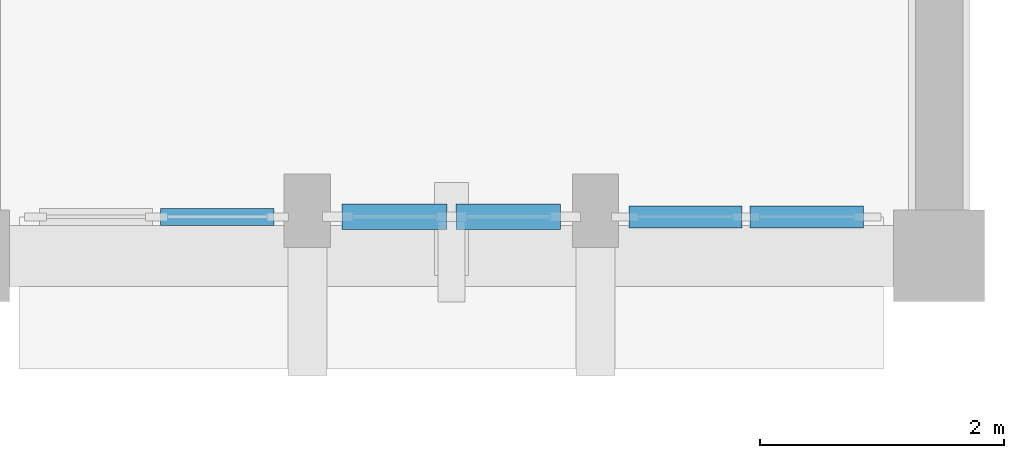
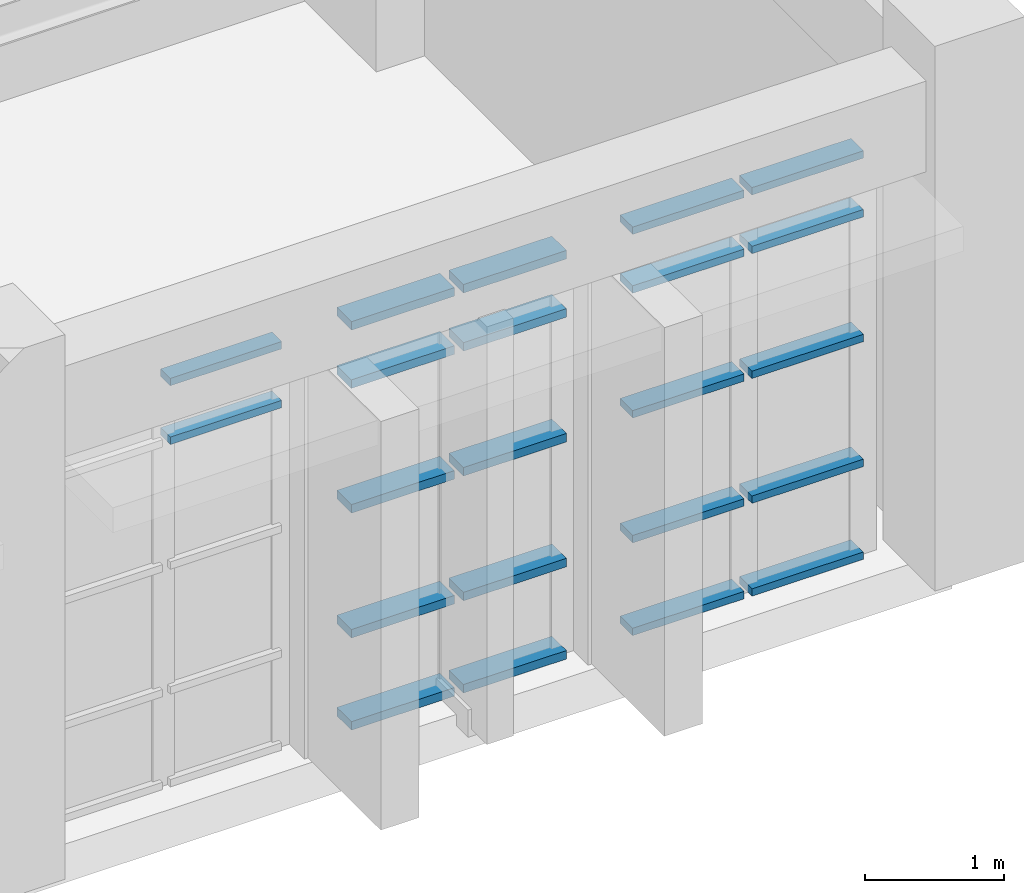
# One storey, part 61 of 155: 22 members, 3 elements without a shape of their own.
"""IFC4 building model written with IfcOpenShell, lengths in metres."""

from ifc_helpers import new_model, si_unit, direction, frame, origin, origin_2d, place, context, subcontext, project, spatial, rectangle, extrude, material, layer, layer_set, material_profile, profile_set, type_object, element, aggregate, save


model = new_model("IFC4")

# Units and contexts
model_context = context("Model", 3, precision=1e-05, world=origin(), true_north=direction((0.0, 1.0)))
body_context = subcontext(model_context, "Body", "Model", "MODEL_VIEW")
ifc_project = project(units=[si_unit("LENGTHUNIT", "METRE"), si_unit("AREAUNIT", "SQUARE_METRE"), si_unit("VOLUMEUNIT", "CUBIC_METRE"), si_unit("PLANEANGLEUNIT", "RADIAN"), si_unit("MASSUNIT", "GRAM", prefix="KILO")], contexts=[model_context])

# Site, building, storey
site_placement = place(None, origin())
site = spatial("IfcSite", under=ifc_project, at=site_placement, CompositionType="ELEMENT")
building_placement = place(site_placement, origin())
building = spatial("IfcBuilding", under=site, at=building_placement, Name="Tazarka Park Arena", CompositionType="ELEMENT")
storey_placement = place(building_placement, frame((0.0, 0.0, 5.39990234375)))
storey = spatial("IfcBuildingStorey", under=building, at=storey_placement, Name="L01", CompositionType="ELEMENT", Elevation=5.39990234375)

# Curtain wall, members
ifc_material_1 = material(Name="Aluminium and low-e glass", Category="aluminium")
ifc_layer_1 = layer(ifc_material_1, 0.179931640625, Name="Aluminium and low-e glass")
ifc_layer_set_1 = layer_set([ifc_layer_1], Name="Aluminium and low-e glass")
curtain_wall_type_1 = type_object("IfcCurtainWallType", Name="CW-24", PredefinedType="NOTDEFINED", material=ifc_layer_set_1)
curtain_wall_1_placement = place(storey_placement, origin())
curtain_wall_1 = element("IfcCurtainWall", 1, at=curtain_wall_1_placement, inside=storey, type_object=curtain_wall_type_1, Name="Curtain Wall CWA-L01-024", PredefinedType="NOTDEFINED")
ifc_material_2 = material(Name="Aluminium 6060-T66", Category="aluminium")
ifc_material_profile_1 = material_profile(ifc_material_2, rectangle(XDim=0.139892578125, YDim=0.06494140625, at=origin_2d()), Name="Aluminium 6060-T66")
ifc_profile_set_1 = profile_set([ifc_material_profile_1], Name="Aluminium 6060-T66")
member_type_1 = type_object("IfcMemberType", Name="CWT-01", PredefinedType="USERDEFINED", material=ifc_profile_set_1)
member_1_placement = place(storey_placement, frame((106.543212890625, 8.320068359375, 3.050048828125), z_axis=(-1.0, 0.0, 0.0), x_axis=(0.0, -1.0, 0.0)))
member_1 = element("IfcMember", 2, at=member_1_placement, type_object=member_type_1, Name="CW-24 transom 1.4", ObjectType="TRANSOM", PredefinedType="USERDEFINED", context=body_context, shape_type="SweptSolid", body=[
    extrude(rectangle(XDim=0.139892578125, YDim=0.06494140625, at=origin_2d()), origin(), (0.0, 0.0, 1.0), 0.928955078125),
])
member_2_placement = place(storey_placement, frame((106.543212890625, 8.320068359375, 3.567626953125), z_axis=(-1.0, 0.0, 0.0), x_axis=(0.0, -1.0, 0.0)))
member_2 = element("IfcMember", 3, at=member_2_placement, type_object=member_type_1, Name="CW-24 transom 1.5", ObjectType="TRANSOM", PredefinedType="USERDEFINED", context=body_context, shape_type="SweptSolid", body=[
    extrude(rectangle(XDim=0.139892578125, YDim=0.06494140625, at=origin_2d()), origin(), (0.0, 0.0, 1.0), 0.928955078125),
])
aggregate(curtain_wall_1, [member_1, member_2])

ifc_material_3 = material(Name="Aluminium and low-e glass", Category="aluminium")
ifc_layer_2 = layer(ifc_material_3, 0.179931640625, Name="Aluminium and low-e glass")
ifc_layer_set_2 = layer_set([ifc_layer_2], Name="Aluminium and low-e glass")
curtain_wall_type_2 = type_object("IfcCurtainWallType", Name="CW-22", PredefinedType="NOTDEFINED", material=ifc_layer_set_2)
curtain_wall_2_placement = place(storey_placement, origin())
curtain_wall_2 = element("IfcCurtainWall", 4, at=curtain_wall_2_placement, inside=storey, type_object=curtain_wall_type_2, Name="Curtain Wall CWA-L01-022", PredefinedType="NOTDEFINED")
ifc_material_4 = material(Name="Aluminium 6060-T66", Category="aluminium")
ifc_material_profile_2 = material_profile(ifc_material_4, rectangle(XDim=0.179931640625, YDim=0.06494140625, at=origin_2d()), Name="Aluminium 6060-T66")
ifc_profile_set_2 = profile_set([ifc_material_profile_2], Name="Aluminium 6060-T66")
member_type_2 = type_object("IfcMemberType", Name="CWT-02", PredefinedType="USERDEFINED", material=ifc_profile_set_2)
member_3_placement = place(storey_placement, frame((111.3798828125, 8.320068359375, 0.03271484375), z_axis=(-1.0, 0.0, 0.0), x_axis=(0.0, -1.0, 0.0)))
member_3 = element("IfcMember", 5, at=member_3_placement, type_object=member_type_2, Name="CW-22 transom 1.1", ObjectType="TRANSOM", PredefinedType="USERDEFINED", context=body_context, shape_type="SweptSolid", body=[
    extrude(rectangle(XDim=0.179931640625, YDim=0.06494140625, at=origin_2d()), origin(), (0.0, 0.0, 1.0), 0.928955078125),
])
member_4_placement = place(storey_placement, frame((111.3798828125, 8.320068359375, 0.85009765625), z_axis=(-1.0, 0.0, 0.0), x_axis=(0.0, -1.0, 0.0)))
member_4 = element("IfcMember", 6, at=member_4_placement, type_object=member_type_2, Name="CW-22 transom 1.2", ObjectType="TRANSOM", PredefinedType="USERDEFINED", context=body_context, shape_type="SweptSolid", body=[
    extrude(rectangle(XDim=0.179931640625, YDim=0.06494140625, at=origin_2d()), origin(), (0.0, 0.0, 1.0), 0.928955078125),
])
member_5_placement = place(storey_placement, frame((111.3798828125, 8.320068359375, 1.9501953125), z_axis=(-1.0, 0.0, 0.0), x_axis=(0.0, -1.0, 0.0)))
member_5 = element("IfcMember", 7, at=member_5_placement, type_object=member_type_2, Name="CW-22 transom 1.3", ObjectType="TRANSOM", PredefinedType="USERDEFINED", context=body_context, shape_type="SweptSolid", body=[
    extrude(rectangle(XDim=0.179931640625, YDim=0.06494140625, at=origin_2d()), origin(), (0.0, 0.0, 1.0), 0.928955078125),
])
member_6_placement = place(storey_placement, frame((111.3798828125, 8.320068359375, 3.050048828125), z_axis=(-1.0, 0.0, 0.0), x_axis=(0.0, -1.0, 0.0)))
member_6 = element("IfcMember", 8, at=member_6_placement, type_object=member_type_2, Name="CW-22 transom 1.4", ObjectType="TRANSOM", PredefinedType="USERDEFINED", context=body_context, shape_type="SweptSolid", body=[
    extrude(rectangle(XDim=0.179931640625, YDim=0.06494140625, at=origin_2d()), origin(), (0.0, 0.0, 1.0), 0.928955078125),
])
member_7_placement = place(storey_placement, frame((111.3798828125, 8.320068359375, 3.567626953125), z_axis=(-1.0, 0.0, 0.0), x_axis=(0.0, -1.0, 0.0)))
member_7 = element("IfcMember", 9, at=member_7_placement, type_object=member_type_2, Name="CW-22 transom 1.5", ObjectType="TRANSOM", PredefinedType="USERDEFINED", context=body_context, shape_type="SweptSolid", body=[
    extrude(rectangle(XDim=0.179931640625, YDim=0.06494140625, at=origin_2d()), origin(), (0.0, 0.0, 1.0), 0.928955078125),
])
member_8_placement = place(storey_placement, frame((110.3857421875, 8.320068359375, 0.03271484375), z_axis=(-1.0, 0.0, 0.0), x_axis=(0.0, -1.0, 0.0)))
member_8 = element("IfcMember", 10, at=member_8_placement, type_object=member_type_2, Name="CW-22 transom 2.1", ObjectType="TRANSOM", PredefinedType="USERDEFINED", context=body_context, shape_type="SweptSolid", body=[
    extrude(rectangle(XDim=0.179931640625, YDim=0.06494140625, at=origin_2d()), origin(), (0.0, 0.0, 1.0), 0.928955078125),
])
member_9_placement = place(storey_placement, frame((110.3857421875, 8.320068359375, 0.85009765625), z_axis=(-1.0, 0.0, 0.0), x_axis=(0.0, -1.0, 0.0)))
member_9 = element("IfcMember", 11, at=member_9_placement, type_object=member_type_2, Name="CW-22 transom 2.2", ObjectType="TRANSOM", PredefinedType="USERDEFINED", context=body_context, shape_type="SweptSolid", body=[
    extrude(rectangle(XDim=0.179931640625, YDim=0.06494140625, at=origin_2d()), origin(), (0.0, 0.0, 1.0), 0.928955078125),
])
member_10_placement = place(storey_placement, frame((110.3857421875, 8.320068359375, 1.9501953125), z_axis=(-1.0, 0.0, 0.0), x_axis=(0.0, -1.0, 0.0)))
member_10 = element("IfcMember", 12, at=member_10_placement, type_object=member_type_2, Name="CW-22 transom 2.3", ObjectType="TRANSOM", PredefinedType="USERDEFINED", context=body_context, shape_type="SweptSolid", body=[
    extrude(rectangle(XDim=0.179931640625, YDim=0.06494140625, at=origin_2d()), origin(), (0.0, 0.0, 1.0), 0.928955078125),
])
member_11_placement = place(storey_placement, frame((110.3857421875, 8.320068359375, 3.050048828125), z_axis=(-1.0, 0.0, 0.0), x_axis=(0.0, -1.0, 0.0)))
member_11 = element("IfcMember", 13, at=member_11_placement, type_object=member_type_2, Name="CW-22 transom 2.4", ObjectType="TRANSOM", PredefinedType="USERDEFINED", context=body_context, shape_type="SweptSolid", body=[
    extrude(rectangle(XDim=0.179931640625, YDim=0.06494140625, at=origin_2d()), origin(), (0.0, 0.0, 1.0), 0.928955078125),
])
member_12_placement = place(storey_placement, frame((110.3857421875, 8.320068359375, 3.567626953125), z_axis=(-1.0, 0.0, 0.0), x_axis=(0.0, -1.0, 0.0)))
member_12 = element("IfcMember", 14, at=member_12_placement, type_object=member_type_2, Name="CW-22 transom 2.5", ObjectType="TRANSOM", PredefinedType="USERDEFINED", context=body_context, shape_type="SweptSolid", body=[
    extrude(rectangle(XDim=0.179931640625, YDim=0.06494140625, at=origin_2d()), origin(), (0.0, 0.0, 1.0), 0.928955078125),
])
aggregate(curtain_wall_2, [member_3, member_4, member_5, member_6, member_7, member_8, member_9, member_10, member_11, member_12])

ifc_material_5 = material(Name="Aluminium and low-e glass", Category="aluminium")
ifc_layer_3 = layer(ifc_material_5, 0.179931640625, Name="Aluminium and low-e glass")
ifc_layer_set_3 = layer_set([ifc_layer_3], Name="Aluminium and low-e glass")
curtain_wall_type_3 = type_object("IfcCurtainWallType", Name="CW-23", PredefinedType="NOTDEFINED", material=ifc_layer_set_3)
curtain_wall_3_placement = place(storey_placement, origin())
curtain_wall_3 = element("IfcCurtainWall", 15, at=curtain_wall_3_placement, inside=storey, type_object=curtain_wall_type_3, Name="Curtain Wall CWA-L01-023", PredefinedType="NOTDEFINED")
ifc_material_6 = material(Name="Aluminium 6060-T66", Category="aluminium")
ifc_material_profile_3 = material_profile(ifc_material_6, rectangle(XDim=0.2099609375, YDim=0.074951171875, at=origin_2d()), Name="Aluminium 6060-T66")
ifc_profile_set_3 = profile_set([ifc_material_profile_3], Name="Aluminium 6060-T66")
member_type_3 = type_object("IfcMemberType", Name="CWT-03", PredefinedType="USERDEFINED", material=ifc_profile_set_3)
member_13_placement = place(storey_placement, frame((108.896728515625, 8.320068359375, 0.03759765625), z_axis=(-1.0, 0.0, 0.0), x_axis=(0.0, -1.0, 0.0)))
member_13 = element("IfcMember", 16, at=member_13_placement, type_object=member_type_3, Name="CW-23 transom 1.1", ObjectType="TRANSOM", PredefinedType="USERDEFINED", context=body_context, shape_type="SweptSolid", body=[
    extrude(rectangle(XDim=0.2099609375, YDim=0.074951171875, at=origin_2d()), origin(), (0.0, 0.0, 1.0), 0.859130859375),
])
member_14_placement = place(storey_placement, frame((108.896728515625, 8.320068359375, 0.85009765625), z_axis=(-1.0, 0.0, 0.0), x_axis=(0.0, -1.0, 0.0)))
member_14 = element("IfcMember", 17, at=member_14_placement, type_object=member_type_3, Name="CW-23 transom 1.2", ObjectType="TRANSOM", PredefinedType="USERDEFINED", context=body_context, shape_type="SweptSolid", body=[
    extrude(rectangle(XDim=0.2099609375, YDim=0.074951171875, at=origin_2d()), origin(), (0.0, 0.0, 1.0), 0.859130859375),
])
member_15_placement = place(storey_placement, frame((108.896728515625, 8.320068359375, 1.9501953125), z_axis=(-1.0, 0.0, 0.0), x_axis=(0.0, -1.0, 0.0)))
member_15 = element("IfcMember", 18, at=member_15_placement, type_object=member_type_3, Name="CW-23 transom 1.3", ObjectType="TRANSOM", PredefinedType="USERDEFINED", context=body_context, shape_type="SweptSolid", body=[
    extrude(rectangle(XDim=0.2099609375, YDim=0.074951171875, at=origin_2d()), origin(), (0.0, 0.0, 1.0), 0.859130859375),
])
member_16_placement = place(storey_placement, frame((108.896728515625, 8.320068359375, 3.050048828125), z_axis=(-1.0, 0.0, 0.0), x_axis=(0.0, -1.0, 0.0)))
member_16 = element("IfcMember", 19, at=member_16_placement, type_object=member_type_3, Name="CW-23 transom 1.4", ObjectType="TRANSOM", PredefinedType="USERDEFINED", context=body_context, shape_type="SweptSolid", body=[
    extrude(rectangle(XDim=0.2099609375, YDim=0.074951171875, at=origin_2d()), origin(), (0.0, 0.0, 1.0), 0.859130859375),
])
member_17_placement = place(storey_placement, frame((108.896728515625, 8.320068359375, 3.5625), z_axis=(-1.0, 0.0, 0.0), x_axis=(0.0, -1.0, 0.0)))
member_17 = element("IfcMember", 20, at=member_17_placement, type_object=member_type_3, Name="CW-23 transom 1.5", ObjectType="TRANSOM", PredefinedType="USERDEFINED", context=body_context, shape_type="SweptSolid", body=[
    extrude(rectangle(XDim=0.2099609375, YDim=0.074951171875, at=origin_2d()), origin(), (0.0, 0.0, 1.0), 0.859130859375),
])
member_18_placement = place(storey_placement, frame((107.96240234375, 8.320068359375, 0.03759765625), z_axis=(-1.0, 0.0, 0.0), x_axis=(0.0, -1.0, 0.0)))
member_18 = element("IfcMember", 21, at=member_18_placement, type_object=member_type_3, Name="CW-23 transom 2.1", ObjectType="TRANSOM", PredefinedType="USERDEFINED", context=body_context, shape_type="SweptSolid", body=[
    extrude(rectangle(XDim=0.2099609375, YDim=0.074951171875, at=origin_2d()), origin(), (0.0, 0.0, 1.0), 0.859130859375),
])
member_19_placement = place(storey_placement, frame((107.96240234375, 8.320068359375, 0.85009765625), z_axis=(-1.0, 0.0, 0.0), x_axis=(0.0, -1.0, 0.0)))
member_19 = element("IfcMember", 22, at=member_19_placement, type_object=member_type_3, Name="CW-23 transom 2.2", ObjectType="TRANSOM", PredefinedType="USERDEFINED", context=body_context, shape_type="SweptSolid", body=[
    extrude(rectangle(XDim=0.2099609375, YDim=0.074951171875, at=origin_2d()), origin(), (0.0, 0.0, 1.0), 0.859130859375),
])
member_20_placement = place(storey_placement, frame((107.96240234375, 8.320068359375, 1.9501953125), z_axis=(-1.0, 0.0, 0.0), x_axis=(0.0, -1.0, 0.0)))
member_20 = element("IfcMember", 23, at=member_20_placement, type_object=member_type_3, Name="CW-23 transom 2.3", ObjectType="TRANSOM", PredefinedType="USERDEFINED", context=body_context, shape_type="SweptSolid", body=[
    extrude(rectangle(XDim=0.2099609375, YDim=0.074951171875, at=origin_2d()), origin(), (0.0, 0.0, 1.0), 0.859130859375),
])
member_21_placement = place(storey_placement, frame((107.96240234375, 8.320068359375, 3.050048828125), z_axis=(-1.0, 0.0, 0.0), x_axis=(0.0, -1.0, 0.0)))
member_21 = element("IfcMember", 24, at=member_21_placement, type_object=member_type_3, Name="CW-23 transom 2.4", ObjectType="TRANSOM", PredefinedType="USERDEFINED", context=body_context, shape_type="SweptSolid", body=[
    extrude(rectangle(XDim=0.2099609375, YDim=0.074951171875, at=origin_2d()), origin(), (0.0, 0.0, 1.0), 0.859130859375),
])
member_22_placement = place(storey_placement, frame((107.96240234375, 8.320068359375, 3.5625), z_axis=(-1.0, 0.0, 0.0), x_axis=(0.0, -1.0, 0.0)))
member_22 = element("IfcMember", 25, at=member_22_placement, type_object=member_type_3, Name="CW-23 transom 2.5", ObjectType="TRANSOM", PredefinedType="USERDEFINED", context=body_context, shape_type="SweptSolid", body=[
    extrude(rectangle(XDim=0.2099609375, YDim=0.074951171875, at=origin_2d()), origin(), (0.0, 0.0, 1.0), 0.859130859375),
])
aggregate(curtain_wall_3, [member_13, member_14, member_15, member_16, member_17, member_18, member_19, member_20, member_21, member_22])

save(model, "model.ifc")
